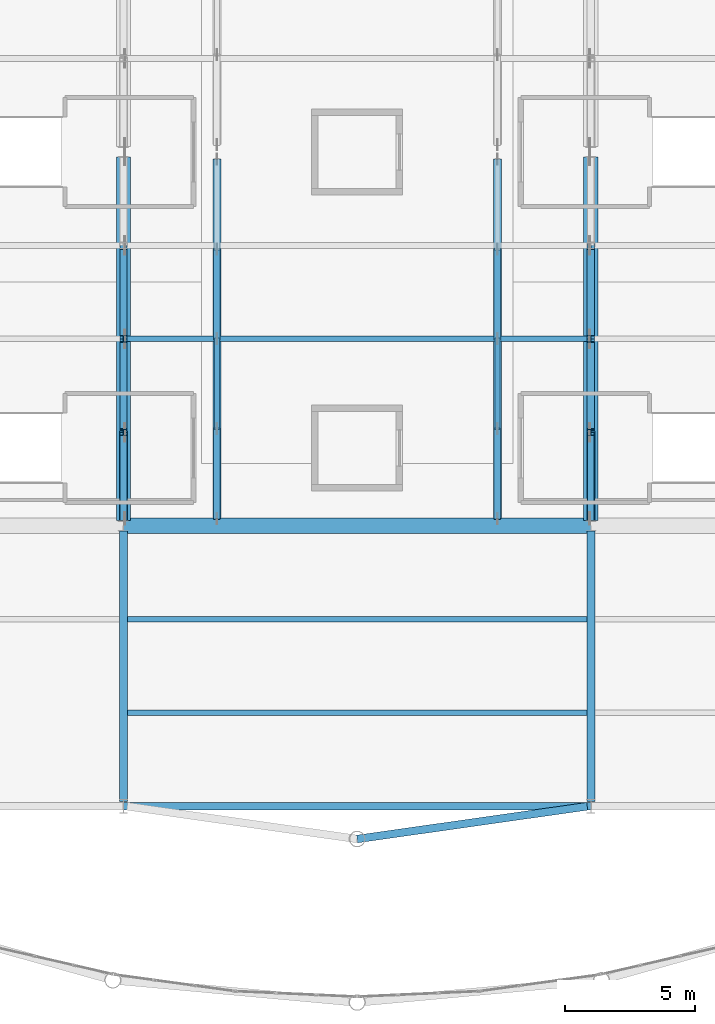
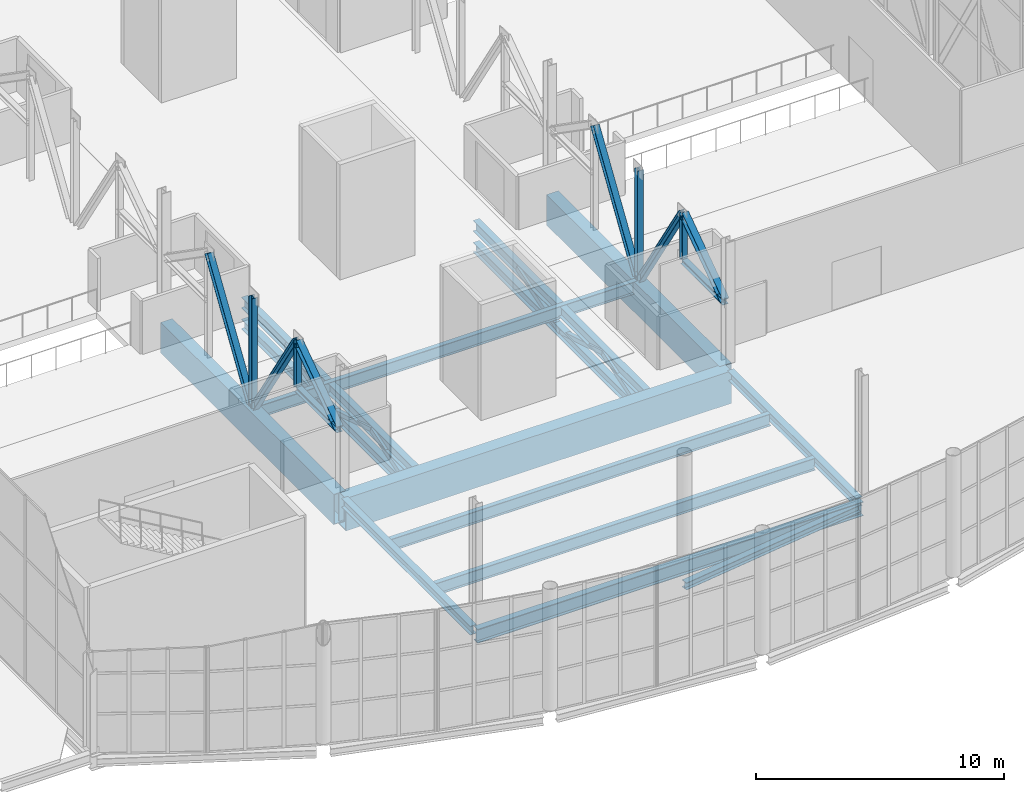
# One storey, part 45 of 191: 18 members, 14 beams.
"""IFC4 building model written with IfcOpenShell, lengths in metres."""

import ifcopenshell
import ifcopenshell.guid

model = None  # the IFC model being written
_history = None  # IfcOwnerHistory: only IFC2X3 demands one
_inside = {}  # id of a spatial element -> (the spatial element, [elements in it])
_under = {}  # id of a project, library or spatial element -> (it, [spatial elements below it])
_declared = {}  # id of a project -> (the project, [libraries it declares])
_typed = {}  # id of a type object -> (the type object, [elements of that type])
_made_of = {}  # id of a material, layer set ... -> (it, [elements and type objects made of it])


def new_model(schema):
    """Start an empty IFC model of exactly this schema.

    Asked for "IFC4X3", IfcOpenShell would pick the latest addendum, in which some entities
    have other attributes; the version numbers below select the first issue.
    IFC2X3 requires an IfcOwnerHistory on every rooted entity: one is made here for all.
    """
    global model, _history
    if schema == "IFC4X3":
        model = ifcopenshell.file(schema_version=(4, 3, 0, 0))
    else:
        model = ifcopenshell.file(schema=schema)
    _inside.clear()
    _under.clear()
    _declared.clear()
    _typed.clear()
    _made_of.clear()
    _history = None
    if model.schema == "IFC2X3":
        org = make("IfcOrganization", Name="unknown")
        user = make(
            "IfcPersonAndOrganization",
            ThePerson=make("IfcPerson", FamilyName="unknown"),
            TheOrganization=org,
        )
        app = make(
            "IfcApplication",
            ApplicationDeveloper=org,
            Version="unknown",
            ApplicationFullName="unknown",
            ApplicationIdentifier="unknown",
        )
        _history = make(
            "IfcOwnerHistory",
            OwningUser=user,
            OwningApplication=app,
            ChangeAction="ADDED",
            CreationDate=0,
        )
    return model


def make(cls, **values):
    """One entity of the class cls with the attributes given. An attribute that is None is left unset."""
    return model.create_entity(
        cls, **{name: value for name, value in values.items() if value is not None}
    )


def rooted(cls, **values):
    """An entity with a GlobalId (a new one), such as an element, a storey or a relation."""
    return make(cls, GlobalId=ifcopenshell.guid.new(), OwnerHistory=_history, **values)


def si_unit(unit_type, name, prefix=None):
    """IfcSIUnit, for example si_unit("LENGTHUNIT", "METRE", prefix="MILLI")."""
    return make("IfcSIUnit", UnitType=unit_type, Prefix=prefix, Name=name)


def assignment(units):
    """IfcUnitAssignment: the units of a project."""
    return None if units is None else make("IfcUnitAssignment", Units=units)


def point(xyz):
    """IfcCartesianPoint."""
    return None if xyz is None else make("IfcCartesianPoint", Coordinates=xyz)


def direction(xyz):
    """IfcDirection."""
    return None if xyz is None else make("IfcDirection", DirectionRatios=xyz)


def frame(location, z_axis=None, x_axis=None):
    """IfcAxis2Placement3D, a coordinate frame: its origin and axes. An axis left out is left unset."""
    return make(
        "IfcAxis2Placement3D",
        Location=point(location),
        Axis=direction(z_axis),
        RefDirection=direction(x_axis),
    )


def frame_2d(location, x_axis=None):
    """IfcAxis2Placement2D, a coordinate frame in the plane: its origin and x axis."""
    return make(
        "IfcAxis2Placement2D", Location=point(location), RefDirection=direction(x_axis)
    )


def origin():
    """The frame at (0, 0, 0) with its axes left unset."""
    return frame((0.0, 0.0, 0.0))


def origin_2d():
    """The frame at (0, 0) in the plane with its x axis left unset."""
    return frame_2d((0.0, 0.0))


def place(relative_to, where):
    """IfcLocalPlacement: puts the frame where relative to a parent placement (None: the world)."""
    return make(
        "IfcLocalPlacement", PlacementRelTo=relative_to, RelativePlacement=where
    )


def context(
    kind, dimensions, precision=None, world=None, true_north=None, identifier=None
):
    """IfcGeometricRepresentationContext, for example the 3D "Model" context."""
    return make(
        "IfcGeometricRepresentationContext",
        ContextIdentifier=identifier,
        ContextType=kind,
        CoordinateSpaceDimension=dimensions,
        Precision=precision,
        WorldCoordinateSystem=world,
        TrueNorth=true_north,
    )


def subcontext(parent, identifier, kind, view, scale=None):
    """IfcGeometricRepresentationSubContext, for example "Body" below "Model"."""
    return make(
        "IfcGeometricRepresentationSubContext",
        ContextIdentifier=identifier,
        ContextType=kind,
        ParentContext=parent,
        TargetScale=scale,
        TargetView=view,
    )


def project(units=None, contexts=None):
    """IfcProject with its units and contexts."""
    return rooted(
        "IfcProject",
        Name="project",
        RepresentationContexts=contexts,
        UnitsInContext=assignment(units),
    )


def spatial(cls, under=None, at=None, **own):
    """A site, building, storey or space (cls), placed at a placement, below another one or the project."""
    s = rooted(cls, ObjectPlacement=at, **own)
    if under is not None:
        _under.setdefault(under.id(), (under, []))[1].append(s)
    return s


def profile(cls, at=None, kind="AREA", **sizes):
    """A parametric profile (cls). Its sizes go by their IFC names, for example OverallWidth=200.0."""
    return make(cls, ProfileType=kind, Position=at, **sizes)


def hollow_rectangle(**sizes):
    """IfcRectangleHollowProfileDef."""
    return profile("IfcRectangleHollowProfileDef", **sizes)


def i_section(**sizes):
    """IfcIShapeProfileDef."""
    return profile("IfcIShapeProfileDef", **sizes)


def extrude(swept, where, along, depth):
    """IfcExtrudedAreaSolid: the profile swept, set in the frame where, extruded along a direction by depth."""
    return make(
        "IfcExtrudedAreaSolid",
        SweptArea=swept,
        Position=where,
        ExtrudedDirection=direction(along),
        Depth=depth,
    )


def shape(context_of_items, identifier, shape_type, items):
    """IfcShapeRepresentation: the items that make up one representation, for example the "Body"."""
    return make(
        "IfcShapeRepresentation",
        ContextOfItems=context_of_items,
        RepresentationIdentifier=identifier,
        RepresentationType=shape_type,
        Items=items,
    )


def material(Name=None, Category=None):
    """IfcMaterial."""
    return make("IfcMaterial", Name=Name, Category=Category)


def material_profile(
    of_material, cross_section, Name=None, Category=None, Priority=None
):
    """IfcMaterialProfile: a cross section and its material."""
    return make(
        "IfcMaterialProfile",
        Name=Name,
        Material=of_material,
        Profile=cross_section,
        Priority=Priority,
        Category=Category,
    )


def profile_set(profiles, Name=None, composite=None):
    """IfcMaterialProfileSet."""
    return make(
        "IfcMaterialProfileSet",
        Name=Name,
        MaterialProfiles=profiles,
        CompositeProfile=composite,
    )


def made_of(thing, what):
    """Note that an element or type object is made of a material, layer set ...; save() writes the relation."""
    if what is not None:
        _made_of.setdefault(what.id(), (what, []))[1].append(thing)
    return thing


def type_object(cls, material=None, **own):
    """A type object (cls), such as IfcWallType, which elements share."""
    return made_of(rooted(cls, **own), material)


def element(
    cls,
    number,
    at=None,
    inside=None,
    cuts=None,
    type_object=None,
    material=None,
    context=None,
    identifier="Body",
    shape_type=None,
    held_by="IfcProductDefinitionShape",
    body=None,
    shapes=None,
    **own,
):
    """One element of the class cls, such as IfcWall. Its Tag is "e" and its number.

    at: its placement. inside: the storey or other place that contains it. cuts: it is an
    opening in that element (IfcRelVoidsElement). A single representation is given by context,
    identifier, shape_type and body (its items); several are given by shapes. held_by: the class
    of the entity that holds the representations. save() writes the other relations.
    """
    e = rooted(cls, Tag="e%d" % number, ObjectPlacement=at, **own)
    if body is not None:
        shapes = [shape(context, identifier, shape_type, body)]
    if shapes is not None:
        e.Representation = make(held_by, Representations=shapes)
    if inside is not None:
        _inside.setdefault(inside.id(), (inside, []))[1].append(e)
    if cuts is not None:
        rooted(
            "IfcRelVoidsElement", RelatingBuildingElement=cuts, RelatedOpeningElement=e
        )
    if type_object is not None:
        _typed.setdefault(type_object.id(), (type_object, []))[1].append(e)
    return made_of(e, material)


def aggregate(whole, parts):
    """IfcRelAggregates: a whole, such as a stair, and the parts it consists of."""
    return rooted("IfcRelAggregates", RelatingObject=whole, RelatedObjects=parts)


def save(model, path):
    """Write the relations noted so far, then the file.

    IfcRelAggregates (storeys below a building ...), IfcRelContainedInSpatialStructure (elements
    in a storey), IfcRelDefinesByType, IfcRelAssociatesMaterial and IfcRelDeclares: one each for
    every whole, place, type object, material and project.
    """
    for whole, parts in _under.values():
        aggregate(whole, parts)
    for where, things in _inside.values():
        rooted(
            "IfcRelContainedInSpatialStructure",
            RelatedElements=things,
            RelatingStructure=where,
        )
    for kind, things in _typed.values():
        rooted("IfcRelDefinesByType", RelatedObjects=things, RelatingType=kind)
    for what, things in _made_of.values():
        rooted("IfcRelAssociatesMaterial", RelatedObjects=things, RelatingMaterial=what)
    for by, libraries in _declared.values():
        rooted("IfcRelDeclares", RelatingContext=by, RelatedDefinitions=libraries)
    model.write(path)


model = new_model("IFC4")

# Units and contexts
model_context = context("Model", 3, precision=1e-05, world=origin(), true_north=direction((0.0, 1.0)))
body_context = subcontext(model_context, "Body", "Model", "MODEL_VIEW")
ifc_project = project(units=[si_unit("LENGTHUNIT", "METRE"), si_unit("AREAUNIT", "SQUARE_METRE"), si_unit("VOLUMEUNIT", "CUBIC_METRE"), si_unit("PLANEANGLEUNIT", "RADIAN"), si_unit("MASSUNIT", "GRAM", prefix="KILO")], contexts=[model_context])

# Site, building, storey
site_placement = place(None, origin())
site = spatial("IfcSite", under=ifc_project, at=site_placement, CompositionType="ELEMENT")
building_placement = place(site_placement, origin())
building = spatial("IfcBuilding", under=site, at=building_placement, Name="Tamarisk Ironworks Central Station", CompositionType="ELEMENT")
storey_placement = place(building_placement, frame((0.0, 0.0, 6.60009765625)))
storey = spatial("IfcBuildingStorey", under=building, at=storey_placement, Name="L01", CompositionType="ELEMENT", Elevation=6.60009765625)

# Beams
ifc_material_1 = material(Name="Structural steel S355J2", Category="steel")
ifc_material_profile_1 = material_profile(ifc_material_1, i_section(OverallWidth=0.219970703125, OverallDepth=0.60009765625, WebThickness=0.011962890625, FlangeThickness=0.01904296875, at=origin_2d()), Name="IPE 600")
ifc_profile_set_1 = profile_set([ifc_material_profile_1], Name="Structural steel S355J2")
beam_type_1 = type_object("IfcBeamType", Name="BM-B01", PredefinedType="BEAM", material=ifc_profile_set_1)
for number, where, z_axis, x_axis, name in (
    (1, (72.135009765625, 14.39990234375, -0.60009765625), (1.0, 0.0, 0.0), (0.0, 1.0, 0.0), "L01 secondary composite beam 0014"),
    (2, (72.135009765625, 18.0, -0.60009765625), (1.0, 0.0, 0.0), (0.0, 1.0, 0.0), "L01 secondary composite beam 0015"),
    (3, (72.135009765625, 28.800048828125, -0.60009765625), (1.0, 0.0, 0.0), (0.0, 1.0, 0.0), "L01 secondary composite beam 0016"),
):
    element("IfcBeam", number, at=place(storey_placement, frame(where, z_axis=z_axis, x_axis=x_axis)), inside=storey, type_object=beam_type_1, Name=name, PredefinedType="BEAM", context=body_context, shape_type="SweptSolid", body=[
        extrude(i_section(OverallWidth=0.219970703125, OverallDepth=0.60009765625, WebThickness=0.011962890625, FlangeThickness=0.01904296875, at=origin_2d()), origin(), (0.0, 0.0, 1.0), 17.72998046875),
    ])
ifc_material_profile_2 = material_profile(ifc_material_1, i_section(OverallWidth=0.300048828125, OverallDepth=0.68994140625, WebThickness=0.014404296875, FlangeThickness=0.027099609375, at=origin_2d()), Name="HEA 700")
ifc_profile_set_2 = profile_set([ifc_material_profile_2], Name="Structural steel S355J2")
beam_type_2 = type_object("IfcBeamType", Name="BM-G01", PredefinedType="BEAM", material=ifc_profile_set_2)
beam_1_placement = place(storey_placement, frame((72.00390625, 10.800048828125, -0.64501953125), z_axis=(1.0, 0.0, 0.0), x_axis=(0.0, 1.0, 0.0)))
element("IfcBeam", 4, at=beam_1_placement, inside=storey, type_object=beam_type_2, Name="L01 primary girder X-0018", PredefinedType="BEAM", context=body_context, shape_type="SweptSolid", body=[
    extrude(i_section(OverallWidth=0.300048828125, OverallDepth=0.68994140625, WebThickness=0.014404296875, FlangeThickness=0.027099609375, at=origin_2d()), origin(), (0.0, 0.0, 1.0), 17.9921875),
])
ifc_material_profile_3 = material_profile(ifc_material_1, i_section(OverallWidth=0.300048828125, OverallDepth=0.5400390625, WebThickness=0.012451171875, FlangeThickness=0.02392578125, at=origin_2d()), Name="HEA 550")
ifc_profile_set_3 = profile_set([ifc_material_profile_3], Name="Structural steel S355J2")
beam_type_3 = type_object("IfcBeamType", Name="BM-G04", PredefinedType="BEAM", material=ifc_profile_set_3)
for number, where, z_axis, x_axis, name in (
    (5, (75.60009765625, 21.8798828125, -0.580078125), (0.0, 1.0, 0.0), (-1.0, 0.0, 0.0), "Bridge deck transfer stiffening chord 138"),
    (6, (86.39990234375, 21.8798828125, -0.580078125), (0.0, 1.0, 0.0), (-1.0, 0.0, 0.0), "Bridge deck transfer stiffening chord 162"),
):
    element("IfcBeam", number, at=place(storey_placement, frame(where, z_axis=z_axis, x_axis=x_axis)), inside=storey, type_object=beam_type_3, Name=name, PredefinedType="BEAM", context=body_context, shape_type="SweptSolid", body=[
        extrude(i_section(OverallWidth=0.300048828125, OverallDepth=0.5400390625, WebThickness=0.012451171875, FlangeThickness=0.02392578125, at=origin_2d()), origin(), (0.0, 0.0, 1.0), 13.840087890625),
    ])
ifc_material_profile_4 = material_profile(ifc_material_1, i_section(OverallWidth=0.300048828125, OverallDepth=0.489990234375, WebThickness=0.011962890625, FlangeThickness=0.02294921875, at=origin_2d()), Name="HEA 500")
ifc_profile_set_4 = profile_set([ifc_material_profile_4], Name="Structural steel S355J2")
beam_type_4 = type_object("IfcBeamType", Name="BM-G05", PredefinedType="BEAM", material=ifc_profile_set_4)
for number, where, z_axis, x_axis, name in (
    (7, (75.60009765625, 21.8798828125, -1.64013671875), (0.0, 1.0, 0.0), (-1.0, 0.0, 0.0), "Bridge deck transfer stiffening chord 137"),
    (8, (86.39990234375, 21.8798828125, -1.64013671875), (0.0, 1.0, 0.0), (-1.0, 0.0, 0.0), "Bridge deck transfer stiffening chord 161"),
):
    element("IfcBeam", number, at=place(storey_placement, frame(where, z_axis=z_axis, x_axis=x_axis)), inside=storey, type_object=beam_type_4, Name=name, PredefinedType="BEAM", context=body_context, shape_type="SweptSolid", body=[
        extrude(i_section(OverallWidth=0.300048828125, OverallDepth=0.489990234375, WebThickness=0.011962890625, FlangeThickness=0.02294921875, at=origin_2d()), origin(), (0.0, 0.0, 1.0), 13.840087890625),
    ])
ifc_material_profile_5 = material_profile(ifc_material_1, i_section(OverallWidth=0.300048828125, OverallDepth=0.43994140625, WebThickness=0.011474609375, FlangeThickness=0.02099609375, at=origin_2d()), Name="HEA 450")
ifc_profile_set_5 = profile_set([ifc_material_profile_5], Name="Structural steel S355J2")
beam_type_5 = type_object("IfcBeamType", Name="BM-G06", PredefinedType="BEAM", material=ifc_profile_set_5)
for number, where, z_axis, x_axis, name in (
    (9, (72.0, 10.987548828125, -0.52001953125), (0.0, 1.0, 0.0), (-1.0, 0.0, 0.0), "L01 primary girder Y-0215"),
    (10, (90.0, 10.987548828125, -0.52001953125), (0.0, 1.0, 0.0), (-1.0, 0.0, 0.0), "L01 primary girder Y-0223"),
):
    element("IfcBeam", number, at=place(storey_placement, frame(where, z_axis=z_axis, x_axis=x_axis)), inside=storey, type_object=beam_type_5, Name=name, PredefinedType="BEAM", context=body_context, shape_type="SweptSolid", body=[
        extrude(i_section(OverallWidth=0.300048828125, OverallDepth=0.43994140625, WebThickness=0.011474609375, FlangeThickness=0.02099609375, at=origin_2d()), origin(), (0.0, 0.0, 1.0), 10.411865234375),
    ])
ifc_material_profile_6 = material_profile(ifc_material_1, i_section(OverallWidth=0.300048828125, OverallDepth=0.35009765625, WebThickness=0.010009765625, FlangeThickness=0.017578125, at=origin_2d()), Name="HEA 360")
ifc_profile_set_6 = profile_set([ifc_material_profile_6], Name="Structural steel S355J2")
beam_type_6 = type_object("IfcBeamType", Name="BM-G08", PredefinedType="BEAM", material=ifc_profile_set_6)
beam_2_placement = place(storey_placement, frame((89.860107421875, 10.800048828125, -0.580078125), z_axis=(-0.990038775739, -0.140794966289, 0.0), x_axis=(0.140794966289, -0.990038775739, 0.0)))
element("IfcBeam", 11, at=beam_2_placement, inside=storey, type_object=beam_type_6, Name="SN arch crown tie beam 014", PredefinedType="BEAM", context=body_context, shape_type="SweptSolid", body=[
    extrude(i_section(OverallWidth=0.300048828125, OverallDepth=0.35009765625, WebThickness=0.010009765625, FlangeThickness=0.017578125, at=origin_2d()), origin(), (0.0, 0.0, 1.0), 8.94921875),
])
ifc_material_profile_7 = material_profile(ifc_material_1, hollow_rectangle(XDim=0.60009765625, YDim=1.60009765625, WallThickness=0.031982421875, at=origin_2d()), Name="BOX 600x1600x32")
ifc_profile_set_7 = profile_set([ifc_material_profile_7], Name="Structural steel S355J2")
beam_type_7 = type_object("IfcBeamType", Name="BM-TG01", PredefinedType="USERDEFINED", material=ifc_profile_set_7)
beam_3_placement = place(storey_placement, frame((72.00390625, 21.60009765625, -1.10009765625), z_axis=(1.0, 0.0, 0.0), x_axis=(0.0, 1.0, 0.0)))
element("IfcBeam", 12, at=beam_3_placement, inside=storey, type_object=beam_type_7, Name="L01 primary girder X-0034", ObjectType="TRANSFER GIRDER", PredefinedType="USERDEFINED", context=body_context, shape_type="SweptSolid", body=[
    extrude(hollow_rectangle(XDim=0.60009765625, YDim=1.60009765625, WallThickness=0.031982421875, at=origin_2d()), origin(), (0.0, 0.0, 1.0), 17.9921875),
])
ifc_material_profile_8 = material_profile(ifc_material_1, hollow_rectangle(XDim=0.550048828125, YDim=1.5, WallThickness=0.028076171875, at=origin_2d()), Name="BOX 550x1500x28")
ifc_profile_set_8 = profile_set([ifc_material_profile_8], Name="Structural steel S355J2")
beam_type_8 = type_object("IfcBeamType", Name="BM-TG02", PredefinedType="USERDEFINED", material=ifc_profile_set_8)
for number, where, z_axis, x_axis, name in (
    (13, (72.0, 21.800537109375, -1.050048828125), (0.0, 1.0, 0.0), (-1.0, 0.0, 0.0), "L01 primary girder Y-0216"),
    (14, (90.0, 21.800537109375, -1.050048828125), (0.0, 1.0, 0.0), (-1.0, 0.0, 0.0), "L01 primary girder Y-0224"),
):
    element("IfcBeam", number, at=place(storey_placement, frame(where, z_axis=z_axis, x_axis=x_axis)), inside=storey, type_object=beam_type_8, Name=name, ObjectType="TRANSFER GIRDER", PredefinedType="USERDEFINED", context=body_context, shape_type="SweptSolid", body=[
        extrude(hollow_rectangle(XDim=0.550048828125, YDim=1.5, WallThickness=0.028076171875, at=origin_2d()), origin(), (0.0, 0.0, 1.0), 13.9990234375),
    ])

# Members
ifc_material_2 = material(Name="Structural steel S355J2H", Category="steel")
ifc_material_profile_9 = material_profile(ifc_material_2, hollow_rectangle(XDim=0.25, YDim=0.25, WallThickness=0.012451171875, at=origin_2d()), Name="SHS 250x250x12.5")
ifc_profile_set_9 = profile_set([ifc_material_profile_9], Name="Structural steel S355J2H")
member_type_1 = type_object("IfcMemberType", Name="MB-BR01", PredefinedType="BRACE", material=ifc_profile_set_9)
member_1_placement = place(storey_placement, frame((75.60009765625, 21.8798828125, -1.64013671875), z_axis=(0.0, 0.956137121505, 0.29291945118), x_axis=(-1.0, 0.0, 0.0)))
element("IfcMember", 15, at=member_1_placement, inside=storey, type_object=member_type_1, Name="Bridge deck stiffening web brace 139", PredefinedType="BRACE", context=body_context, shape_type="SweptSolid", body=[
    extrude(hollow_rectangle(XDim=0.25, YDim=0.25, WallThickness=0.012451171875, at=origin_2d()), origin(), (0.0, 0.0, 1.0), 3.618896484375),
])
member_2_placement = place(storey_placement, frame((75.60009765625, 28.800048828125, -1.64013671875), z_axis=(0.0, 0.956131332595, 0.292938346467), x_axis=(-1.0, 0.0, 0.0)))
element("IfcMember", 16, at=member_2_placement, inside=storey, type_object=member_type_1, Name="Bridge deck stiffening web brace 141", PredefinedType="BRACE", context=body_context, shape_type="SweptSolid", body=[
    extrude(hollow_rectangle(XDim=0.25, YDim=0.25, WallThickness=0.012451171875, at=origin_2d()), origin(), (0.0, 0.0, 1.0), 3.61865234375),
])
member_3_placement = place(storey_placement, frame((86.39990234375, 21.8798828125, -1.64013671875), z_axis=(0.0, 0.956137121505, 0.29291945118), x_axis=(-1.0, 0.0, 0.0)))
element("IfcMember", 17, at=member_3_placement, inside=storey, type_object=member_type_1, Name="Bridge deck stiffening web brace 163", PredefinedType="BRACE", context=body_context, shape_type="SweptSolid", body=[
    extrude(hollow_rectangle(XDim=0.25, YDim=0.25, WallThickness=0.012451171875, at=origin_2d()), origin(), (0.0, 0.0, 1.0), 3.618896484375),
])
member_4_placement = place(storey_placement, frame((86.39990234375, 28.800048828125, -1.64013671875), z_axis=(0.0, 0.956131332595, 0.292938346467), x_axis=(-1.0, 0.0, 0.0)))
element("IfcMember", 18, at=member_4_placement, inside=storey, type_object=member_type_1, Name="Bridge deck stiffening web brace 165", PredefinedType="BRACE", context=body_context, shape_type="SweptSolid", body=[
    extrude(hollow_rectangle(XDim=0.25, YDim=0.25, WallThickness=0.012451171875, at=origin_2d()), origin(), (0.0, 0.0, 1.0), 3.61865234375),
])
ifc_material_profile_10 = material_profile(ifc_material_2, hollow_rectangle(XDim=0.199951171875, YDim=0.199951171875, WallThickness=0.010009765625, at=origin_2d()), Name="SHS 200x200x10")
ifc_profile_set_10 = profile_set([ifc_material_profile_10], Name="Structural steel S355J2H")
member_type_2 = type_object("IfcMemberType", Name="MB-BR02", PredefinedType="BRACE", material=ifc_profile_set_10)
for number, where, z_axis, x_axis, name in (
    (19, (75.60009765625, 25.340087890625, -0.580078125), (0.0, 0.956131332595, -0.292938346467), (-1.0, 0.0, 0.0), "Bridge deck stiffening web brace 140"),
    (20, (86.39990234375, 25.340087890625, -0.580078125), (0.0, 0.956131332595, -0.292938346467), (-1.0, 0.0, 0.0), "Bridge deck stiffening web brace 164"),
):
    element("IfcMember", number, at=place(storey_placement, frame(where, z_axis=z_axis, x_axis=x_axis)), inside=storey, type_object=member_type_2, Name=name, PredefinedType="BRACE", context=body_context, shape_type="SweptSolid", body=[
        extrude(hollow_rectangle(XDim=0.199951171875, YDim=0.199951171875, WallThickness=0.010009765625, at=origin_2d()), origin(), (0.0, 0.0, 1.0), 3.61865234375),
    ])
ifc_material_profile_11 = material_profile(ifc_material_1, i_section(OverallWidth=0.300048828125, OverallDepth=0.340087890625, WebThickness=0.011962890625, FlangeThickness=0.021484375, at=origin_2d()), Name="HEB 340")
ifc_profile_set_11 = profile_set([ifc_material_profile_11], Name="Structural steel S355J2")
member_type_3 = type_object("IfcMemberType", Name="MB-TTD01", PredefinedType="BRACE", material=ifc_profile_set_11)
for number, where, z_axis, x_axis, name in (
    (21, (72.0, 21.8798828125, 2.83984375), (0.0, 0.821108198798, 0.570772569302), (-1.0, 0.0, 0.0), "Transfer truss diagonal 029"),
    (22, (90.0, 21.8798828125, 2.83984375), (0.0, 0.821108198798, 0.570772569302), (-1.0, 0.0, 0.0), "Transfer truss diagonal 057"),
):
    element("IfcMember", number, at=place(storey_placement, frame(where, z_axis=z_axis, x_axis=x_axis)), inside=storey, type_object=member_type_3, Name=name, PredefinedType="BRACE", context=body_context, shape_type="SweptSolid", body=[
        extrude(i_section(OverallWidth=0.300048828125, OverallDepth=0.340087890625, WebThickness=0.011962890625, FlangeThickness=0.021484375, at=origin_2d()), origin(), (0.0, 0.0, 1.0), 3.99462890625),
    ])
ifc_material_profile_12 = material_profile(ifc_material_1, i_section(OverallWidth=0.280029296875, OverallDepth=0.280029296875, WebThickness=0.010498046875, FlangeThickness=0.01806640625, at=origin_2d()), Name="HEB 280")
ifc_profile_set_12 = profile_set([ifc_material_profile_12], Name="Structural steel S355J2")
member_type_4 = type_object("IfcMemberType", Name="MB-TTD02", PredefinedType="BRACE", material=ifc_profile_set_12)
for number, where, z_axis, x_axis, name in (
    (23, (72.0, 25.239990234375, 5.119873046875), (0.0, 0.539055818311, -0.842270042649), (-1.0, 0.0, 0.0), "Transfer truss diagonal 030"),
    (24, (72.0, 28.840087890625, -0.380126953125), (0.0, 0.539055818311, 0.842270042649), (-1.0, 0.0, 0.0), "Transfer truss diagonal 032"),
    (25, (90.0, 25.239990234375, 5.119873046875), (0.0, 0.539055818311, -0.842270042649), (-1.0, 0.0, 0.0), "Transfer truss diagonal 058"),
    (26, (90.0, 28.840087890625, -0.380126953125), (0.0, 0.539055818311, 0.842270042649), (-1.0, 0.0, 0.0), "Transfer truss diagonal 060"),
):
    element("IfcMember", number, at=place(storey_placement, frame(where, z_axis=z_axis, x_axis=x_axis)), inside=storey, type_object=member_type_4, Name=name, PredefinedType="BRACE", context=body_context, shape_type="SweptSolid", body=[
        extrude(i_section(OverallWidth=0.280029296875, OverallDepth=0.280029296875, WebThickness=0.010498046875, FlangeThickness=0.01806640625, at=origin_2d()), origin(), (0.0, 0.0, 1.0), 6.530029296875),
    ])
ifc_material_profile_13 = material_profile(ifc_material_1, i_section(OverallWidth=0.260009765625, OverallDepth=0.260009765625, WebThickness=0.010009765625, FlangeThickness=0.017578125, at=origin_2d()), Name="HEB 260")
ifc_profile_set_13 = profile_set([ifc_material_profile_13], Name="Structural steel S355J2")
member_type_5 = type_object("IfcMemberType", Name="MB-TTP01", PredefinedType="POST", material=ifc_profile_set_13)
member_5_placement = place(storey_placement, frame((72.0, 21.800048828125, 2.7998046875), z_axis=(0.0, 1.0, 0.0), x_axis=(-1.0, 0.0, 0.0)))
element("IfcMember", 27, at=member_5_placement, inside=storey, type_object=member_type_5, Name="Transfer truss portal chord 01", PredefinedType="POST", context=body_context, shape_type="SweptSolid", body=[
    extrude(i_section(OverallWidth=0.260009765625, OverallDepth=0.260009765625, WebThickness=0.010009765625, FlangeThickness=0.017578125, at=origin_2d()), origin(), (0.0, 0.0, 1.0), 3.39990234375),
])
member_6_placement = place(storey_placement, frame((72.0, 28.800048828125, -0.340087890625), z_axis=(0.0, 0.0, 1.0), x_axis=(1.0, 0.0, 0.0)))
element("IfcMember", 28, at=member_6_placement, inside=storey, type_object=member_type_5, Name="Transfer truss vertical post 033", PredefinedType="POST", context=body_context, shape_type="SweptSolid", body=[
    extrude(i_section(OverallWidth=0.260009765625, OverallDepth=0.260009765625, WebThickness=0.010009765625, FlangeThickness=0.017578125, at=origin_2d()), origin(), (0.0, 0.0, 1.0), 5.4599609375),
])
member_7_placement = place(storey_placement, frame((90.0, 21.800048828125, 2.7998046875), z_axis=(0.0, 1.0, 0.0), x_axis=(-1.0, 0.0, 0.0)))
element("IfcMember", 29, at=member_7_placement, inside=storey, type_object=member_type_5, Name="Transfer truss portal chord 08", PredefinedType="POST", context=body_context, shape_type="SweptSolid", body=[
    extrude(i_section(OverallWidth=0.260009765625, OverallDepth=0.260009765625, WebThickness=0.010009765625, FlangeThickness=0.017578125, at=origin_2d()), origin(), (0.0, 0.0, 1.0), 3.39990234375),
])
member_8_placement = place(storey_placement, frame((90.0, 28.800048828125, -0.340087890625), z_axis=(0.0, 0.0, 1.0), x_axis=(1.0, 0.0, 0.0)))
element("IfcMember", 30, at=member_8_placement, inside=storey, type_object=member_type_5, Name="Transfer truss vertical post 061", PredefinedType="POST", context=body_context, shape_type="SweptSolid", body=[
    extrude(i_section(OverallWidth=0.260009765625, OverallDepth=0.260009765625, WebThickness=0.010009765625, FlangeThickness=0.017578125, at=origin_2d()), origin(), (0.0, 0.0, 1.0), 5.4599609375),
])
ifc_material_profile_14 = material_profile(ifc_material_1, i_section(OverallWidth=0.239990234375, OverallDepth=0.239990234375, WebThickness=0.010009765625, FlangeThickness=0.01708984375, at=origin_2d()), Name="HEB 240")
ifc_profile_set_14 = profile_set([ifc_material_profile_14], Name="Structural steel S355J2")
member_type_6 = type_object("IfcMemberType", Name="MB-TTP02", PredefinedType="POST", material=ifc_profile_set_14)
for number, where, z_axis, x_axis, name in (
    (31, (72.0, 25.199951171875, 2.7998046875), (0.0, 0.0, 1.0), (1.0, 0.0, 0.0), "Transfer truss vertical post 031"),
    (32, (90.0, 25.199951171875, 2.7998046875), (0.0, 0.0, 1.0), (1.0, 0.0, 0.0), "Transfer truss vertical post 059"),
):
    element("IfcMember", number, at=place(storey_placement, frame(where, z_axis=z_axis, x_axis=x_axis)), inside=storey, type_object=member_type_6, Name=name, PredefinedType="POST", context=body_context, shape_type="SweptSolid", body=[
        extrude(i_section(OverallWidth=0.239990234375, OverallDepth=0.239990234375, WebThickness=0.010009765625, FlangeThickness=0.01708984375, at=origin_2d()), origin(), (0.0, 0.0, 1.0), 2.320068359375),
    ])

save(model, "model.ifc")
